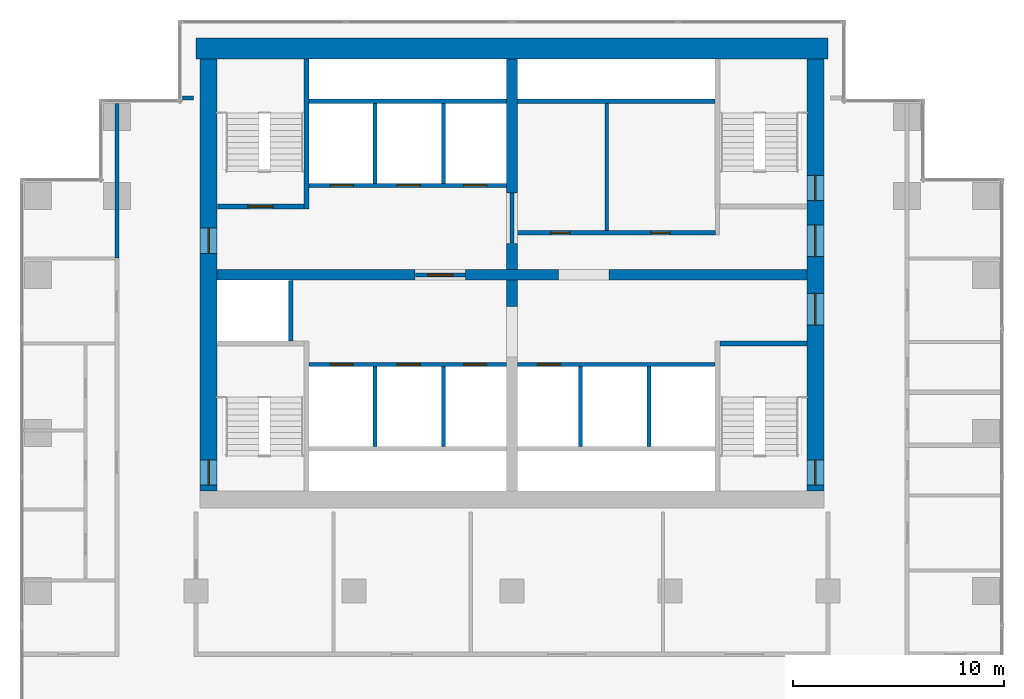
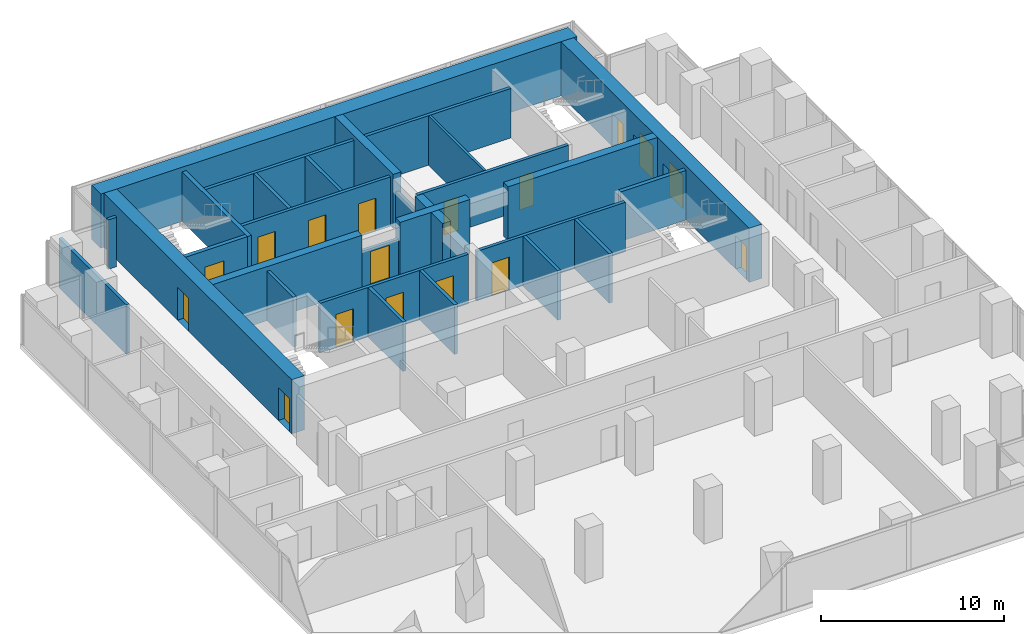
# One storey, part 8 of 10: 30 walls, 17 doors, 17 openings.
"""IFC4 building model written with IfcOpenShell, lengths in metres."""

from ifc_helpers import new_model, si_unit, direction, frame, frame_2d, origin, place, context, subcontext, project, spatial, rectangle, extrude, material, layer, layer_set, type_object, element, fill, save


model = new_model("IFC4")

# Units and contexts
model_context = context("Model", 3, precision=1e-05, world=origin(), true_north=direction((0.0, 1.0)))
body_context = subcontext(model_context, "Body", "Model", "MODEL_VIEW")
ifc_project = project(units=[si_unit("LENGTHUNIT", "METRE"), si_unit("AREAUNIT", "SQUARE_METRE"), si_unit("VOLUMEUNIT", "CUBIC_METRE"), si_unit("PLANEANGLEUNIT", "RADIAN"), si_unit("MASSUNIT", "GRAM", prefix="KILO")], contexts=[model_context])

# Site, building, storey
site_placement = place(None, origin())
site = spatial("IfcSite", under=ifc_project, at=site_placement, CompositionType="ELEMENT")
building_placement = place(site_placement, origin())
building = spatial("IfcBuilding", under=site, at=building_placement, Name="Pilkhan Gate Tower", CompositionType="ELEMENT")
storey_placement = place(building_placement, frame((0.0, 0.0, 136.0)))
storey = spatial("IfcBuildingStorey", under=building, at=storey_placement, Name="L34", CompositionType="ELEMENT", Elevation=136.0)

# Wall
ifc_material_1 = material(Name="Concrete C60/75", Category="concrete")
ifc_layer_1 = layer(ifc_material_1, 1.0)
ifc_layer_set_1 = layer_set([ifc_layer_1], Name="Core wall CW1000 C60/75")
wall_type_1 = type_object("IfcWallType", Name="Core wall CW1000 C60/75", PredefinedType="SHEAR", material=ifc_layer_set_1)
wall_1_placement = place(storey_placement, frame((90.0, 93.25, 0.0), z_axis=(0.0, 0.0, 1.0), x_axis=(-1.0, 0.0, 0.0)))
element("IfcWall", 1, at=wall_1_placement, inside=storey, type_object=wall_type_1, Name="Core wall N L34", PredefinedType="SHEAR", context=body_context, shape_type="SweptSolid", body=[
    extrude(rectangle(XDim=30.0, YDim=1.0, at=frame_2d((15.0, 0.0))), origin(), (0.0, 0.0, 1.0), 3.60009765625),
])

# Wall, openings, doors
ifc_layer_2 = layer(ifc_material_1, 0.800048828125)
ifc_layer_set_2 = layer_set([ifc_layer_2], Name="Core wall CW800 C60/75")
wall_type_2 = type_object("IfcWallType", Name="Core wall CW800 C60/75", PredefinedType="SHEAR", material=ifc_layer_set_2)
wall_2_placement = place(storey_placement, frame((89.39990234375, 72.25, 0.0), z_axis=(0.0, 0.0, 1.0), x_axis=(0.0, 1.0, 0.0)))
wall_2 = element("IfcWall", 2, at=wall_2_placement, inside=storey, type_object=wall_type_2, Name="Core wall E L34", PredefinedType="SHEAR", context=body_context, shape_type="SweptSolid", body=[
    extrude(rectangle(XDim=20.5, YDim=0.800048828125, at=frame_2d((10.25, 0.0))), origin(), (0.0, 0.0, 1.0), 3.60009765625),
])
opening_1_placement = place(wall_2_placement, frame((0.27490234375, 0.0, 0.0)))
opening_1 = element("IfcOpeningElement", 3, at=opening_1_placement, cuts=wall_2, Name="Opening L34-03", PredefinedType="OPENING", context=body_context, shape_type="SweptSolid", body=[
    extrude(rectangle(XDim=1.199951171875, YDim=2.199951171875, at=frame_2d((0.60009765625, 1.10009765625))), frame((0.0, 0.409912109375, 0.0), z_axis=(0.0, -1.0, 0.0), x_axis=(1.0, 0.0, 0.0)), (0.0, 0.0, 1.0), 0.820068359375),
])
opening_2_placement = place(wall_2_placement, frame((13.77490234375, 0.0, 0.0)))
opening_2 = element("IfcOpeningElement", 4, at=opening_2_placement, cuts=wall_2, Name="Opening L34-05", PredefinedType="OPENING", context=body_context, shape_type="SweptSolid", body=[
    extrude(rectangle(XDim=1.199951171875, YDim=2.199951171875, at=frame_2d((0.60009765625, 1.10009765625))), frame((0.0, 0.409912109375, 0.0), z_axis=(0.0, -1.0, 0.0), x_axis=(1.0, 0.0, 0.0)), (0.0, 0.0, 1.0), 0.820068359375),
])
opening_3_placement = place(wall_2_placement, frame((7.875, 0.0, 0.0)))
opening_3 = element("IfcOpeningElement", 5, at=opening_3_placement, cuts=wall_2, Name="Opening L34-11", PredefinedType="OPENING", context=body_context, shape_type="SweptSolid", body=[
    extrude(rectangle(XDim=1.5, YDim=2.199951171875, at=frame_2d((0.75, 1.10009765625))), frame((0.0, 0.409912109375, 0.0), z_axis=(0.0, -1.0, 0.0), x_axis=(1.0, 0.0, 0.0)), (0.0, 0.0, 1.0), 0.820068359375),
])
opening_4_placement = place(wall_2_placement, frame((11.125, 0.0, 0.0)))
opening_4 = element("IfcOpeningElement", 6, at=opening_4_placement, cuts=wall_2, Name="Opening L34-13", PredefinedType="OPENING", context=body_context, shape_type="SweptSolid", body=[
    extrude(rectangle(XDim=1.5, YDim=2.199951171875, at=frame_2d((0.75, 1.10009765625))), frame((0.0, 0.409912109375, 0.0), z_axis=(0.0, -1.0, 0.0), x_axis=(1.0, 0.0, 0.0)), (0.0, 0.0, 1.0), 0.820068359375),
])
ifc_material_2 = material(Name="Steel framed glazed door, 60 minute fire resisting", Category="steel")
door_type_1 = type_object("IfcDoorType", Name="Lobby door D09 1500x2200", OperationType="DOUBLE_DOOR_SINGLE_SWING", PredefinedType="DOOR", material=ifc_material_2)
door_1_placement = place(opening_3_placement, origin())
door_1 = element("IfcDoor", 7, at=door_1_placement, inside=storey, type_object=door_type_1, Name="Core door", OperationType="DOUBLE_DOOR_SINGLE_SWING", OverallHeight=2.199951171875, OverallWidth=1.5, PredefinedType="DOOR", context=body_context, shape_type="SweptSolid", body=[
    extrude(rectangle(XDim=1.5, YDim=2.199951171875, at=frame_2d((0.75, 1.10009765625))), frame((0.0, 0.02490234375, 0.0), z_axis=(0.0, -1.0, 0.0), x_axis=(1.0, 0.0, 0.0)), (0.0, 0.0, 1.0), 0.050048828125),
])
fill(opening_3, door_1)
door_2_placement = place(opening_4_placement, origin())
door_2 = element("IfcDoor", 8, at=door_2_placement, inside=storey, type_object=door_type_1, Name="Core door", OperationType="DOUBLE_DOOR_SINGLE_SWING", OverallHeight=2.199951171875, OverallWidth=1.5, PredefinedType="DOOR", context=body_context, shape_type="SweptSolid", body=[
    extrude(rectangle(XDim=1.5, YDim=2.199951171875, at=frame_2d((0.75, 1.10009765625))), frame((0.0, 0.02490234375, 0.0), z_axis=(0.0, -1.0, 0.0), x_axis=(1.0, 0.0, 0.0)), (0.0, 0.0, 1.0), 0.050048828125),
])
fill(opening_4, door_2)
ifc_material_3 = material(Name="Steel door, 120 minute fire resisting, panic bar", Category="steel")
door_type_2 = type_object("IfcDoorType", Name="Stair door D11 1200x2200", OperationType="SINGLE_SWING_LEFT", PredefinedType="DOOR", material=ifc_material_3)
door_3_placement = place(opening_1_placement, origin())
door_3 = element("IfcDoor", 9, at=door_3_placement, inside=storey, type_object=door_type_2, Name="Stair ST1 door", OperationType="SINGLE_SWING_LEFT", OverallHeight=2.199951171875, OverallWidth=1.199951171875, PredefinedType="DOOR", context=body_context, shape_type="SweptSolid", body=[
    extrude(rectangle(XDim=1.199951171875, YDim=2.199951171875, at=frame_2d((0.60009765625, 1.10009765625))), frame((0.0, 0.02490234375, 0.0), z_axis=(0.0, -1.0, 0.0), x_axis=(1.0, 0.0, 0.0)), (0.0, 0.0, 1.0), 0.050048828125),
])
fill(opening_1, door_3)
door_4_placement = place(opening_2_placement, origin())
door_4 = element("IfcDoor", 10, at=door_4_placement, inside=storey, type_object=door_type_2, Name="Stair ST4 door", OperationType="SINGLE_SWING_RIGHT", OverallHeight=2.199951171875, OverallWidth=1.199951171875, PredefinedType="DOOR", context=body_context, shape_type="SweptSolid", body=[
    extrude(rectangle(XDim=1.199951171875, YDim=2.199951171875, at=frame_2d((0.60009765625, 1.10009765625))), frame((0.0, 0.02490234375, 0.0), z_axis=(0.0, -1.0, 0.0), x_axis=(1.0, 0.0, 0.0)), (0.0, 0.0, 1.0), 0.050048828125),
])
fill(opening_2, door_4)

wall_3_placement = place(storey_placement, frame((60.60009765625, 92.75, 0.0), z_axis=(0.0, 0.0, 1.0), x_axis=(0.0, -1.0, 0.0)))
wall_3 = element("IfcWall", 11, at=wall_3_placement, inside=storey, type_object=wall_type_2, Name="Core wall W L34", PredefinedType="SHEAR", context=body_context, shape_type="SweptSolid", body=[
    extrude(rectangle(XDim=20.5, YDim=0.800048828125, at=frame_2d((10.25, 0.0))), origin(), (0.0, 0.0, 1.0), 3.60009765625),
])
opening_5_placement = place(wall_3_placement, frame((19.02490234375, 0.0, 0.0)))
opening_5 = element("IfcOpeningElement", 12, at=opening_5_placement, cuts=wall_3, Name="Opening L34-04", PredefinedType="OPENING", context=body_context, shape_type="SweptSolid", body=[
    extrude(rectangle(XDim=1.199951171875, YDim=2.199951171875, at=frame_2d((0.60009765625, 1.10009765625))), frame((0.0, 0.409912109375, 0.0), z_axis=(0.0, -1.0, 0.0), x_axis=(1.0, 0.0, 0.0)), (0.0, 0.0, 1.0), 0.820068359375),
])
opening_6_placement = place(wall_3_placement, frame((8.02490234375, 0.0, 0.0)))
opening_6 = element("IfcOpeningElement", 13, at=opening_6_placement, cuts=wall_3, Name="Opening L34-12", PredefinedType="OPENING", context=body_context, shape_type="SweptSolid", body=[
    extrude(rectangle(XDim=1.199951171875, YDim=2.199951171875, at=frame_2d((0.60009765625, 1.10009765625))), frame((0.0, 0.409912109375, 0.0), z_axis=(0.0, -1.0, 0.0), x_axis=(1.0, 0.0, 0.0)), (0.0, 0.0, 1.0), 0.820068359375),
])
ifc_material_4 = material(Name="Steel door, 120 minute fire resisting, self-closing", Category="steel")
door_type_3 = type_object("IfcDoorType", Name="Firefighting lobby door D10 1200x2200", OperationType="SINGLE_SWING_LEFT", PredefinedType="DOOR", material=ifc_material_4)
door_5_placement = place(opening_6_placement, origin())
door_5 = element("IfcDoor", 14, at=door_5_placement, inside=storey, type_object=door_type_3, Name="Core door", OperationType="SINGLE_SWING_RIGHT", OverallHeight=2.199951171875, OverallWidth=1.199951171875, PredefinedType="DOOR", context=body_context, shape_type="SweptSolid", body=[
    extrude(rectangle(XDim=1.199951171875, YDim=2.199951171875, at=frame_2d((0.60009765625, 1.10009765625))), frame((0.0, 0.02490234375, 0.0), z_axis=(0.0, -1.0, 0.0), x_axis=(1.0, 0.0, 0.0)), (0.0, 0.0, 1.0), 0.050048828125),
])
fill(opening_6, door_5)
door_6_placement = place(opening_5_placement, origin())
door_6 = element("IfcDoor", 15, at=door_6_placement, inside=storey, type_object=door_type_2, Name="Stair ST2 door", OperationType="SINGLE_SWING_LEFT", OverallHeight=2.199951171875, OverallWidth=1.199951171875, PredefinedType="DOOR", context=body_context, shape_type="SweptSolid", body=[
    extrude(rectangle(XDim=1.199951171875, YDim=2.199951171875, at=frame_2d((0.60009765625, 1.10009765625))), frame((0.0, 0.02490234375, 0.0), z_axis=(0.0, -1.0, 0.0), x_axis=(1.0, 0.0, 0.0)), (0.0, 0.0, 1.0), 0.050048828125),
])
fill(opening_5, door_6)

# Walls
ifc_material_5 = material(Name="Dense blockwork", Category="masonry")
ifc_layer_3 = layer(ifc_material_5, 0.199951171875)
ifc_layer_set_3 = layer_set([ifc_layer_3], Name="Corridor wall FW200")
wall_type_3 = type_object("IfcWallType", Name="Corridor wall FW200", PredefinedType="PARTITIONING", material=ifc_layer_set_3)
wall_4_placement = place(storey_placement, frame((59.35498046875, 90.89990234375, 0.0), z_axis=(0.0, 0.0, 1.0), x_axis=(1.0, 0.0, 0.0)))
element("IfcWall", 16, at=wall_4_placement, inside=storey, type_object=wall_type_3, Name="Partition L34", PredefinedType="PARTITIONING", context=body_context, shape_type="SweptSolid", body=[
    extrude(rectangle(XDim=0.52490234375, YDim=0.199951171875, at=frame_2d((0.262451171875, 0.0))), origin(), (0.0, 0.0, 1.0), 3.300048828125),
])
wall_5_placement = place(storey_placement, frame((56.25, 83.31005859375, 0.0), z_axis=(0.0, 0.0, 1.0), x_axis=(0.0, 1.0, 0.0)))
element("IfcWall", 17, at=wall_5_placement, inside=storey, type_object=wall_type_3, Name="Partition L34", PredefinedType="PARTITIONING", context=body_context, shape_type="SweptSolid", body=[
    extrude(rectangle(XDim=7.3349609375, YDim=0.199951171875, at=frame_2d((3.66748046875, 0.0))), origin(), (0.0, 0.0, 1.0), 3.300048828125),
])

# Wall, opening, door
ifc_layer_4 = layer(ifc_material_5, 0.199951171875)
ifc_layer_set_4 = layer_set([ifc_layer_4], Name="Lobby wall LW200")
wall_type_4 = type_object("IfcWallType", Name="Lobby wall LW200", PredefinedType="PARTITIONING", material=ifc_layer_set_4)
wall_6_placement = place(storey_placement, frame((70.409912109375, 82.5, 0.0), z_axis=(0.0, 0.0, 1.0), x_axis=(1.0, 0.0, 0.0)))
wall_6 = element("IfcWall", 18, at=wall_6_placement, inside=storey, type_object=wall_type_4, Name="Partition L34", PredefinedType="PARTITIONING", context=body_context, shape_type="SweptSolid", body=[
    extrude(rectangle(XDim=2.380126953125, YDim=0.199951171875, at=frame_2d((1.18994140625, 0.0))), origin(), (0.0, 0.0, 1.0), 2.39990234375),
])
opening_7_placement = place(wall_6_placement, frame((0.60009765625, 0.0, 0.0)))
opening_7 = element("IfcOpeningElement", 19, at=opening_7_placement, cuts=wall_6, Name="Opening L34-01", PredefinedType="OPENING", context=body_context, shape_type="SweptSolid", body=[
    extrude(rectangle(XDim=1.199951171875, YDim=2.199951171875, at=frame_2d((0.60009765625, 1.10009765625))), frame((0.0, 0.10986328125, 0.0), z_axis=(0.0, -1.0, 0.0), x_axis=(1.0, 0.0, 0.0)), (0.0, 0.0, 1.0), 0.219970703125),
])
door_7_placement = place(opening_7_placement, origin())
door_7 = element("IfcDoor", 20, at=door_7_placement, inside=storey, type_object=door_type_3, Name="Firefighting lobby door", OperationType="SINGLE_SWING_LEFT", OverallHeight=2.199951171875, OverallWidth=1.199951171875, PredefinedType="DOOR", context=body_context, shape_type="SweptSolid", body=[
    extrude(rectangle(XDim=1.199951171875, YDim=2.199951171875, at=frame_2d((0.60009765625, 1.10009765625))), frame((0.0, 0.02490234375, 0.0), z_axis=(0.0, -1.0, 0.0), x_axis=(1.0, 0.0, 0.0)), (0.0, 0.0, 1.0), 0.050048828125),
])
fill(opening_7, door_7)

# Wall, openings, doors
wall_7_placement = place(storey_placement, frame((75.10009765625, 84.5, 0.0), z_axis=(0.0, 0.0, 1.0), x_axis=(1.0, 0.0, 0.0)))
wall_7 = element("IfcWall", 21, at=wall_7_placement, inside=storey, type_object=wall_type_4, Name="Partition L34", PredefinedType="PARTITIONING", context=body_context, shape_type="SweptSolid", body=[
    extrude(rectangle(XDim=9.5498046875, YDim=0.199951171875, at=frame_2d((4.77490234375, 0.0))), origin(), (0.0, 0.0, 1.0), 3.300048828125),
])
opening_8_placement = place(wall_7_placement, frame((1.75, 0.0, 0.0)))
opening_8 = element("IfcOpeningElement", 22, at=opening_8_placement, cuts=wall_7, Name="Opening L34-14", PredefinedType="OPENING", context=body_context, shape_type="SweptSolid", body=[
    extrude(rectangle(XDim=0.89990234375, YDim=2.199951171875, at=frame_2d((0.449951171875, 1.10009765625))), frame((0.0, 0.10986328125, 0.0), z_axis=(0.0, -1.0, 0.0), x_axis=(1.0, 0.0, 0.0)), (0.0, 0.0, 1.0), 0.219970703125),
])
opening_9_placement = place(wall_7_placement, frame((6.5, 0.0, 0.0)))
opening_9 = element("IfcOpeningElement", 23, at=opening_9_placement, cuts=wall_7, Name="Opening L34-15", PredefinedType="OPENING", context=body_context, shape_type="SweptSolid", body=[
    extrude(rectangle(XDim=0.89990234375, YDim=2.199951171875, at=frame_2d((0.449951171875, 1.10009765625))), frame((0.0, 0.10986328125, 0.0), z_axis=(0.0, -1.0, 0.0), x_axis=(1.0, 0.0, 0.0)), (0.0, 0.0, 1.0), 0.219970703125),
])
ifc_material_6 = material(Name="Timber flush door, 60 minute fire resisting, self-closing", Category="wood")
door_type_4 = type_object("IfcDoorType", Name="Store door D05 900x2200", OperationType="SINGLE_SWING_LEFT", PredefinedType="DOOR", material=ifc_material_6)
door_8_placement = place(opening_8_placement, origin())
door_8 = element("IfcDoor", 24, at=door_8_placement, inside=storey, type_object=door_type_4, Name="Store door", OperationType="SINGLE_SWING_LEFT", OverallHeight=2.199951171875, OverallWidth=0.89990234375, PredefinedType="DOOR", context=body_context, shape_type="SweptSolid", body=[
    extrude(rectangle(XDim=0.89990234375, YDim=2.199951171875, at=frame_2d((0.449951171875, 1.10009765625))), frame((0.0, 0.02490234375, 0.0), z_axis=(0.0, -1.0, 0.0), x_axis=(1.0, 0.0, 0.0)), (0.0, 0.0, 1.0), 0.050048828125),
])
fill(opening_8, door_8)
door_9_placement = place(opening_9_placement, origin())
door_9 = element("IfcDoor", 25, at=door_9_placement, inside=storey, type_object=door_type_4, Name="Store door", OperationType="SINGLE_SWING_LEFT", OverallHeight=2.199951171875, OverallWidth=0.89990234375, PredefinedType="DOOR", context=body_context, shape_type="SweptSolid", body=[
    extrude(rectangle(XDim=0.89990234375, YDim=2.199951171875, at=frame_2d((0.449951171875, 1.10009765625))), frame((0.0, 0.02490234375, 0.0), z_axis=(0.0, -1.0, 0.0), x_axis=(1.0, 0.0, 0.0)), (0.0, 0.0, 1.0), 0.050048828125),
])
fill(opening_9, door_9)

# Walls
wall_8_placement = place(storey_placement, frame((75.260009765625, 90.75, 0.0), z_axis=(0.0, 0.0, 1.0), x_axis=(1.0, 0.0, 0.0)))
element("IfcWall", 26, at=wall_8_placement, inside=storey, type_object=wall_type_4, Name="Partition L34", PredefinedType="PARTITIONING", context=body_context, shape_type="SweptSolid", body=[
    extrude(rectangle(XDim=9.364990234375, YDim=0.199951171875, at=frame_2d((4.6826171875, 0.0))), origin(), (0.0, 0.0, 1.0), 3.300048828125),
])
wall_9_placement = place(storey_placement, frame((75.0, 84.010009765625, 0.0), z_axis=(0.0, 0.0, 1.0), x_axis=(0.0, 1.0, 0.0)))
element("IfcWall", 27, at=wall_9_placement, inside=storey, type_object=wall_type_4, Name="Partition L34", PredefinedType="PARTITIONING", context=body_context, shape_type="SweptSolid", body=[
    extrude(rectangle(XDim=2.3798828125, YDim=0.199951171875, at=frame_2d((1.18994140625, 0.0))), origin(), (0.0, 0.0, 1.0), 2.39990234375),
])
ifc_material_7 = material(Name="Blockwork partition, plastered both sides", Category="masonry")
ifc_layer_5 = layer(ifc_material_7, 0.14990234375)
ifc_layer_set_5 = layer_set([ifc_layer_5], Name="Partition PW150")
wall_type_5 = type_object("IfcWallType", Name="Partition PW150", PredefinedType="PARTITIONING", material=ifc_layer_set_5)
wall_10_placement = place(storey_placement, frame((79.5, 84.60009765625, 0.0), z_axis=(0.0, 0.0, 1.0), x_axis=(0.0, 1.0, 0.0)))
element("IfcWall", 28, at=wall_10_placement, inside=storey, type_object=wall_type_5, Name="Partition L34", PredefinedType="PARTITIONING", context=body_context, shape_type="SweptSolid", body=[
    extrude(rectangle(XDim=6.0498046875, YDim=0.14990234375, at=frame_2d((3.02490234375, 0.0))), origin(), (0.0, 0.0, 1.0), 3.300048828125),
])

# Wall, openings, doors
ifc_material_8 = material(Name="Reinforced blockwork shaft wall, 120 minute fire resisting", Category="masonry")
ifc_layer_6 = layer(ifc_material_8, 0.199951171875)
ifc_layer_set_6 = layer_set([ifc_layer_6], Name="Shaft wall SW200")
wall_type_6 = type_object("IfcWallType", Name="Shaft wall SW200", PredefinedType="PARTITIONING", material=ifc_layer_set_6)
wall_11_placement = place(storey_placement, frame((65.375, 78.25, 0.0), z_axis=(0.0, 0.0, 1.0), x_axis=(1.0, 0.0, 0.0)))
wall_11 = element("IfcWall", 29, at=wall_11_placement, inside=storey, type_object=wall_type_6, Name="Partition L34", PredefinedType="PARTITIONING", context=body_context, shape_type="SweptSolid", body=[
    extrude(rectangle(XDim=9.364990234375, YDim=0.199951171875, at=frame_2d((4.6826171875, 0.0))), origin(), (0.0, 0.0, 1.0), 3.300048828125),
])
opening_10_placement = place(wall_11_placement, frame((1.0, 0.0, 0.0)))
opening_10 = element("IfcOpeningElement", 30, at=opening_10_placement, cuts=wall_11, Name="Opening LD", PredefinedType="OPENING", context=body_context, shape_type="SweptSolid", body=[
    extrude(rectangle(XDim=1.10009765625, YDim=2.199951171875, at=frame_2d((0.550048828125, 1.10009765625))), frame((0.0, 0.10986328125, 0.0), z_axis=(0.0, -1.0, 0.0), x_axis=(1.0, 0.0, 0.0)), (0.0, 0.0, 1.0), 0.219970703125),
])
opening_11_placement = place(wall_11_placement, frame((4.175048828125, 0.0, 0.0)))
opening_11 = element("IfcOpeningElement", 31, at=opening_11_placement, cuts=wall_11, Name="Opening LD", PredefinedType="OPENING", context=body_context, shape_type="SweptSolid", body=[
    extrude(rectangle(XDim=1.10009765625, YDim=2.199951171875, at=frame_2d((0.550048828125, 1.10009765625))), frame((0.0, 0.10986328125, 0.0), z_axis=(0.0, -1.0, 0.0), x_axis=(1.0, 0.0, 0.0)), (0.0, 0.0, 1.0), 0.219970703125),
])
opening_12_placement = place(wall_11_placement, frame((7.324951171875, 0.0, 0.0)))
opening_12 = element("IfcOpeningElement", 32, at=opening_12_placement, cuts=wall_11, Name="Opening LD", PredefinedType="OPENING", context=body_context, shape_type="SweptSolid", body=[
    extrude(rectangle(XDim=1.10009765625, YDim=2.199951171875, at=frame_2d((0.550048828125, 1.10009765625))), frame((0.0, 0.10986328125, 0.0), z_axis=(0.0, -1.0, 0.0), x_axis=(1.0, 0.0, 0.0)), (0.0, 0.0, 1.0), 0.219970703125),
])
ifc_material_9 = material(Name="Stainless steel centre-opening landing door, 120 minute fire resisting", Category="steel")
door_type_5 = type_object("IfcDoorType", Name="Lift landing door LD 1100x2200", OperationType="DOUBLE_DOOR_SLIDING", PredefinedType="DOOR", material=ifc_material_9)
door_10_placement = place(opening_10_placement, origin())
door_10 = element("IfcDoor", 33, at=door_10_placement, inside=storey, type_object=door_type_5, Name="Landing door LR1", OperationType="DOUBLE_DOOR_SLIDING", OverallHeight=2.199951171875, OverallWidth=1.10009765625, PredefinedType="DOOR", context=body_context, shape_type="SweptSolid", body=[
    extrude(rectangle(XDim=1.10009765625, YDim=2.199951171875, at=frame_2d((0.550048828125, 1.10009765625))), frame((0.0, 0.02490234375, 0.0), z_axis=(0.0, -1.0, 0.0), x_axis=(1.0, 0.0, 0.0)), (0.0, 0.0, 1.0), 0.050048828125),
])
fill(opening_10, door_10)
door_11_placement = place(opening_11_placement, origin())
door_11 = element("IfcDoor", 34, at=door_11_placement, inside=storey, type_object=door_type_5, Name="Landing door LR2", OperationType="DOUBLE_DOOR_SLIDING", OverallHeight=2.199951171875, OverallWidth=1.10009765625, PredefinedType="DOOR", context=body_context, shape_type="SweptSolid", body=[
    extrude(rectangle(XDim=1.10009765625, YDim=2.199951171875, at=frame_2d((0.550048828125, 1.10009765625))), frame((0.0, 0.02490234375, 0.0), z_axis=(0.0, -1.0, 0.0), x_axis=(1.0, 0.0, 0.0)), (0.0, 0.0, 1.0), 0.050048828125),
])
fill(opening_11, door_11)
door_12_placement = place(opening_12_placement, origin())
door_12 = element("IfcDoor", 35, at=door_12_placement, inside=storey, type_object=door_type_5, Name="Landing door LR3", OperationType="DOUBLE_DOOR_SLIDING", OverallHeight=2.199951171875, OverallWidth=1.10009765625, PredefinedType="DOOR", context=body_context, shape_type="SweptSolid", body=[
    extrude(rectangle(XDim=1.10009765625, YDim=2.199951171875, at=frame_2d((0.550048828125, 1.10009765625))), frame((0.0, 0.02490234375, 0.0), z_axis=(0.0, -1.0, 0.0), x_axis=(1.0, 0.0, 0.0)), (0.0, 0.0, 1.0), 0.050048828125),
])
fill(opening_12, door_12)

# Wall, opening, door
wall_12_placement = place(storey_placement, frame((75.260009765625, 78.25, 0.0), z_axis=(0.0, 0.0, 1.0), x_axis=(1.0, 0.0, 0.0)))
wall_12 = element("IfcWall", 36, at=wall_12_placement, inside=storey, type_object=wall_type_6, Name="Partition L34", PredefinedType="PARTITIONING", context=body_context, shape_type="SweptSolid", body=[
    extrude(rectangle(XDim=9.364990234375, YDim=0.199951171875, at=frame_2d((4.6826171875, 0.0))), origin(), (0.0, 0.0, 1.0), 3.300048828125),
])
opening_13_placement = place(wall_12_placement, frame((0.949951171875, 0.0, 0.0)))
opening_13 = element("IfcOpeningElement", 37, at=opening_13_placement, cuts=wall_12, Name="Opening LD", PredefinedType="OPENING", context=body_context, shape_type="SweptSolid", body=[
    extrude(rectangle(XDim=1.10009765625, YDim=2.199951171875, at=frame_2d((0.550048828125, 1.10009765625))), frame((0.0, 0.10986328125, 0.0), z_axis=(0.0, -1.0, 0.0), x_axis=(1.0, 0.0, 0.0)), (0.0, 0.0, 1.0), 0.219970703125),
])
door_13_placement = place(opening_13_placement, origin())
door_13 = element("IfcDoor", 38, at=door_13_placement, inside=storey, type_object=door_type_5, Name="Landing door LR4", OperationType="DOUBLE_DOOR_SLIDING", OverallHeight=2.199951171875, OverallWidth=1.10009765625, PredefinedType="DOOR", context=body_context, shape_type="SweptSolid", body=[
    extrude(rectangle(XDim=1.10009765625, YDim=2.199951171875, at=frame_2d((0.550048828125, 1.10009765625))), frame((0.0, 0.02490234375, 0.0), z_axis=(0.0, -1.0, 0.0), x_axis=(1.0, 0.0, 0.0)), (0.0, 0.0, 1.0), 0.050048828125),
])
fill(opening_13, door_13)

# Wall, openings, doors
wall_13_placement = place(storey_placement, frame((65.375, 86.75, 0.0), z_axis=(0.0, 0.0, 1.0), x_axis=(1.0, 0.0, 0.0)))
wall_13 = element("IfcWall", 39, at=wall_13_placement, inside=storey, type_object=wall_type_6, Name="Partition L34", PredefinedType="PARTITIONING", context=body_context, shape_type="SweptSolid", body=[
    extrude(rectangle(XDim=9.364990234375, YDim=0.199951171875, at=frame_2d((4.6826171875, 0.0))), origin(), (0.0, 0.0, 1.0), 3.300048828125),
])
opening_14_placement = place(wall_13_placement, frame((1.0, 0.0, 0.0)))
opening_14 = element("IfcOpeningElement", 40, at=opening_14_placement, cuts=wall_13, Name="Opening LD", PredefinedType="OPENING", context=body_context, shape_type="SweptSolid", body=[
    extrude(rectangle(XDim=1.10009765625, YDim=2.199951171875, at=frame_2d((0.550048828125, 1.10009765625))), frame((0.0, 0.10986328125, 0.0), z_axis=(0.0, -1.0, 0.0), x_axis=(1.0, 0.0, 0.0)), (0.0, 0.0, 1.0), 0.219970703125),
])
opening_15_placement = place(wall_13_placement, frame((4.175048828125, 0.0, 0.0)))
opening_15 = element("IfcOpeningElement", 41, at=opening_15_placement, cuts=wall_13, Name="Opening LD", PredefinedType="OPENING", context=body_context, shape_type="SweptSolid", body=[
    extrude(rectangle(XDim=1.10009765625, YDim=2.199951171875, at=frame_2d((0.550048828125, 1.10009765625))), frame((0.0, 0.10986328125, 0.0), z_axis=(0.0, -1.0, 0.0), x_axis=(1.0, 0.0, 0.0)), (0.0, 0.0, 1.0), 0.219970703125),
])
opening_16_placement = place(wall_13_placement, frame((7.324951171875, 0.0, 0.0)))
opening_16 = element("IfcOpeningElement", 42, at=opening_16_placement, cuts=wall_13, Name="Opening LD", PredefinedType="OPENING", context=body_context, shape_type="SweptSolid", body=[
    extrude(rectangle(XDim=1.10009765625, YDim=2.199951171875, at=frame_2d((0.550048828125, 1.10009765625))), frame((0.0, 0.10986328125, 0.0), z_axis=(0.0, -1.0, 0.0), x_axis=(1.0, 0.0, 0.0)), (0.0, 0.0, 1.0), 0.219970703125),
])
door_14_placement = place(opening_14_placement, origin())
door_14 = element("IfcDoor", 43, at=door_14_placement, inside=storey, type_object=door_type_5, Name="Landing door FF1", OperationType="DOUBLE_DOOR_SLIDING", OverallHeight=2.199951171875, OverallWidth=1.10009765625, PredefinedType="DOOR", context=body_context, shape_type="SweptSolid", body=[
    extrude(rectangle(XDim=1.10009765625, YDim=2.199951171875, at=frame_2d((0.550048828125, 1.10009765625))), frame((0.0, 0.02490234375, 0.0), z_axis=(0.0, -1.0, 0.0), x_axis=(1.0, 0.0, 0.0)), (0.0, 0.0, 1.0), 0.050048828125),
])
fill(opening_14, door_14)
door_15_placement = place(opening_15_placement, origin())
door_15 = element("IfcDoor", 44, at=door_15_placement, inside=storey, type_object=door_type_5, Name="Landing door FF2", OperationType="DOUBLE_DOOR_SLIDING", OverallHeight=2.199951171875, OverallWidth=1.10009765625, PredefinedType="DOOR", context=body_context, shape_type="SweptSolid", body=[
    extrude(rectangle(XDim=1.10009765625, YDim=2.199951171875, at=frame_2d((0.550048828125, 1.10009765625))), frame((0.0, 0.02490234375, 0.0), z_axis=(0.0, -1.0, 0.0), x_axis=(1.0, 0.0, 0.0)), (0.0, 0.0, 1.0), 0.050048828125),
])
fill(opening_15, door_15)
door_16_placement = place(opening_16_placement, origin())
door_16 = element("IfcDoor", 45, at=door_16_placement, inside=storey, type_object=door_type_5, Name="Landing door SV1", OperationType="DOUBLE_DOOR_SLIDING", OverallHeight=2.199951171875, OverallWidth=1.10009765625, PredefinedType="DOOR", context=body_context, shape_type="SweptSolid", body=[
    extrude(rectangle(XDim=1.10009765625, YDim=2.199951171875, at=frame_2d((0.550048828125, 1.10009765625))), frame((0.0, 0.02490234375, 0.0), z_axis=(0.0, -1.0, 0.0), x_axis=(1.0, 0.0, 0.0)), (0.0, 0.0, 1.0), 0.050048828125),
])
fill(opening_16, door_16)

# Walls
wall_14_placement = place(storey_placement, frame((65.375, 90.75, 0.0), z_axis=(0.0, 0.0, 1.0), x_axis=(1.0, 0.0, 0.0)))
element("IfcWall", 46, at=wall_14_placement, inside=storey, type_object=wall_type_6, Name="Partition L34", PredefinedType="PARTITIONING", context=body_context, shape_type="SweptSolid", body=[
    extrude(rectangle(XDim=9.364990234375, YDim=0.199951171875, at=frame_2d((4.6826171875, 0.0))), origin(), (0.0, 0.0, 1.0), 3.300048828125),
])
wall_15_placement = place(storey_placement, frame((64.5, 79.375, 0.0), z_axis=(0.0, 0.0, 1.0), x_axis=(0.0, 1.0, 0.0)))
element("IfcWall", 47, at=wall_15_placement, inside=storey, type_object=wall_type_6, Name="Partition L34", PredefinedType="PARTITIONING", context=body_context, shape_type="SweptSolid", body=[
    extrude(rectangle(XDim=2.864990234375, YDim=0.199951171875, at=frame_2d((1.4326171875, 0.0))), origin(), (0.0, 0.0, 1.0), 3.300048828125),
])
for number, where, z_axis, x_axis, name in (
    (48, (68.5, 74.35009765625, 0.0), (0.0, 0.0, 1.0), (0.0, 1.0, 0.0), "Partition L34"),
    (49, (68.5, 86.85009765625, 0.0), (0.0, 0.0, 1.0), (0.0, 1.0, 0.0), "Partition L34"),
    (50, (71.75, 74.35009765625, 0.0), (0.0, 0.0, 1.0), (0.0, 1.0, 0.0), "Partition L34"),
    (51, (71.75, 86.85009765625, 0.0), (0.0, 0.0, 1.0), (0.0, 1.0, 0.0), "Partition L34"),
    (52, (78.25, 74.35009765625, 0.0), (0.0, 0.0, 1.0), (0.0, 1.0, 0.0), "Partition L34"),
    (53, (81.5, 74.35009765625, 0.0), (0.0, 0.0, 1.0), (0.0, 1.0, 0.0), "Partition L34"),
):
    element("IfcWall", number, at=place(storey_placement, frame(where, z_axis=z_axis, x_axis=x_axis)), inside=storey, type_object=wall_type_6, Name=name, PredefinedType="PARTITIONING", context=body_context, shape_type="SweptSolid", body=[
        extrude(rectangle(XDim=3.7998046875, YDim=0.199951171875, at=frame_2d((1.89990234375, 0.0))), origin(), (0.0, 0.0, 1.0), 3.300048828125),
    ])
ifc_layer_7 = layer(ifc_material_1, 0.5)
ifc_layer_set_7 = layer_set([ifc_layer_7], Name="Spine wall SW500 C60/75")
wall_type_7 = type_object("IfcWallType", Name="Spine wall SW500 C60/75", PredefinedType="SHEAR", material=ifc_layer_set_7)
wall_16_placement = place(storey_placement, frame((61.0, 82.5, 0.0), z_axis=(0.0, 0.0, 1.0), x_axis=(1.0, 0.0, 0.0)))
element("IfcWall", 54, at=wall_16_placement, inside=storey, type_object=wall_type_7, Name="Spine wall SP-EW1 L34", PredefinedType="SHEAR", context=body_context, shape_type="SweptSolid", body=[
    extrude(rectangle(XDim=9.39990234375, YDim=0.5, at=frame_2d((4.699951171875, 0.0))), origin(), (0.0, 0.0, 1.0), 3.60009765625),
])
wall_17_placement = place(storey_placement, frame((72.800048828125, 82.5, 0.0), z_axis=(0.0, 0.0, 1.0), x_axis=(1.0, 0.0, 0.0)))
element("IfcWall", 55, at=wall_17_placement, inside=storey, type_object=wall_type_7, Name="Spine wall SP-EW2 L34", PredefinedType="SHEAR", context=body_context, shape_type="SweptSolid", body=[
    extrude(rectangle(XDim=4.39990234375, YDim=0.5, at=frame_2d((2.199951171875, 0.0))), origin(), (0.0, 0.0, 1.0), 3.60009765625),
])
wall_18_placement = place(storey_placement, frame((79.60009765625, 82.5, 0.0), z_axis=(0.0, 0.0, 1.0), x_axis=(1.0, 0.0, 0.0)))
element("IfcWall", 56, at=wall_18_placement, inside=storey, type_object=wall_type_7, Name="Spine wall SP-EW3 L34", PredefinedType="SHEAR", context=body_context, shape_type="SweptSolid", body=[
    extrude(rectangle(XDim=9.39990234375, YDim=0.5, at=frame_2d((4.699951171875, 0.0))), origin(), (0.0, 0.0, 1.0), 3.60009765625),
])
for number, where, z_axis, x_axis, name in (
    (57, (75.0, 81.0, 0.0), (0.0, 0.0, 1.0), (0.0, 1.0, 0.0), "Spine wall SP-NS-S2 L34"),
    (58, (75.0, 82.75, 0.0), (0.0, 0.0, 1.0), (0.0, 1.0, 0.0), "Spine wall SP-NS-N1 L34"),
):
    element("IfcWall", number, at=place(storey_placement, frame(where, z_axis=z_axis, x_axis=x_axis)), inside=storey, type_object=wall_type_7, Name=name, PredefinedType="SHEAR", context=body_context, shape_type="SweptSolid", body=[
        extrude(rectangle(XDim=1.25, YDim=0.5, at=frame_2d((0.625, 0.0))), origin(), (0.0, 0.0, 1.0), 3.60009765625),
    ])
wall_19_placement = place(storey_placement, frame((75.0, 86.39990234375, 0.0), z_axis=(0.0, 0.0, 1.0), x_axis=(0.0, 1.0, 0.0)))
element("IfcWall", 59, at=wall_19_placement, inside=storey, type_object=wall_type_7, Name="Spine wall SP-NS-N2 L34", PredefinedType="SHEAR", context=body_context, shape_type="SweptSolid", body=[
    extrude(rectangle(XDim=6.35009765625, YDim=0.5, at=frame_2d((3.175048828125, 0.0))), origin(), (0.0, 0.0, 1.0), 3.60009765625),
])
ifc_material_10 = material(Name="Reinforced blockwork, 120 minute fire resisting", Category="masonry")
ifc_layer_8 = layer(ifc_material_10, 0.25)
ifc_layer_set_8 = layer_set([ifc_layer_8], Name="Stair enclosure wall SE250")
wall_type_8 = type_object("IfcWallType", Name="Stair enclosure wall SE250", PredefinedType="PARTITIONING", material=ifc_layer_set_8)
wall_20_placement = place(storey_placement, frame((84.875, 79.25, 0.0), z_axis=(0.0, 0.0, 1.0), x_axis=(1.0, 0.0, 0.0)))
element("IfcWall", 60, at=wall_20_placement, inside=storey, type_object=wall_type_8, Name="Partition L34", PredefinedType="PARTITIONING", context=body_context, shape_type="SweptSolid", body=[
    extrude(rectangle(XDim=4.125, YDim=0.25, at=frame_2d((2.0625, 0.0))), origin(), (0.0, 0.0, 1.0), 3.300048828125),
])

# Wall, opening, door
wall_21_placement = place(storey_placement, frame((61.010009765625, 85.75, 0.0), z_axis=(0.0, 0.0, 1.0), x_axis=(1.0, 0.0, 0.0)))
wall_21 = element("IfcWall", 61, at=wall_21_placement, inside=storey, type_object=wall_type_8, Name="Partition L34", PredefinedType="PARTITIONING", context=body_context, shape_type="SweptSolid", body=[
    extrude(rectangle(XDim=4.114990234375, YDim=0.25, at=frame_2d((2.0576171875, 0.0))), origin(), (0.0, 0.0, 1.0), 3.300048828125),
])
opening_17_placement = place(wall_21_placement, frame((1.449951171875, 0.0, 0.0)))
opening_17 = element("IfcOpeningElement", 62, at=opening_17_placement, cuts=wall_21, Name="Opening L34-02", PredefinedType="OPENING", context=body_context, shape_type="SweptSolid", body=[
    extrude(rectangle(XDim=1.199951171875, YDim=2.199951171875, at=frame_2d((0.60009765625, 1.10009765625))), frame((0.0, 0.135009765625, 0.0), z_axis=(0.0, -1.0, 0.0), x_axis=(1.0, 0.0, 0.0)), (0.0, 0.0, 1.0), 0.27001953125),
])
door_17_placement = place(opening_17_placement, origin())
door_17 = element("IfcDoor", 63, at=door_17_placement, inside=storey, type_object=door_type_2, Name="Stair ST3 lobby door", OperationType="SINGLE_SWING_LEFT", OverallHeight=2.199951171875, OverallWidth=1.199951171875, PredefinedType="DOOR", context=body_context, shape_type="SweptSolid", body=[
    extrude(rectangle(XDim=1.199951171875, YDim=2.199951171875, at=frame_2d((0.60009765625, 1.10009765625))), frame((0.0, 0.02490234375, 0.0), z_axis=(0.0, -1.0, 0.0), x_axis=(1.0, 0.0, 0.0)), (0.0, 0.0, 1.0), 0.050048828125),
])
fill(opening_17, door_17)

# Wall
wall_22_placement = place(storey_placement, frame((65.25, 85.625, 0.0), z_axis=(0.0, 0.0, 1.0), x_axis=(0.0, 1.0, 0.0)))
element("IfcWall", 64, at=wall_22_placement, inside=storey, type_object=wall_type_8, Name="Partition L34", PredefinedType="PARTITIONING", context=body_context, shape_type="SweptSolid", body=[
    extrude(rectangle(XDim=7.114990234375, YDim=0.25, at=frame_2d((3.5576171875, 0.0))), origin(), (0.0, 0.0, 1.0), 3.300048828125),
])

save(model, "model.ifc")
